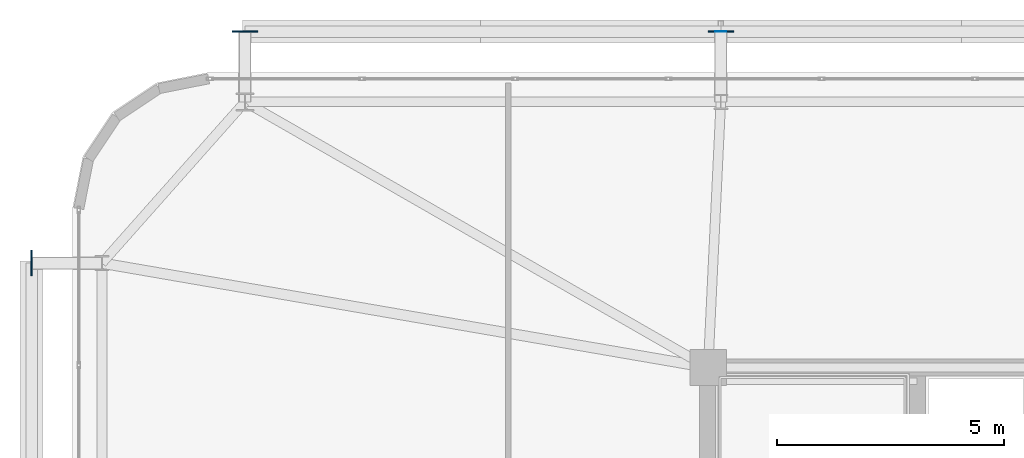
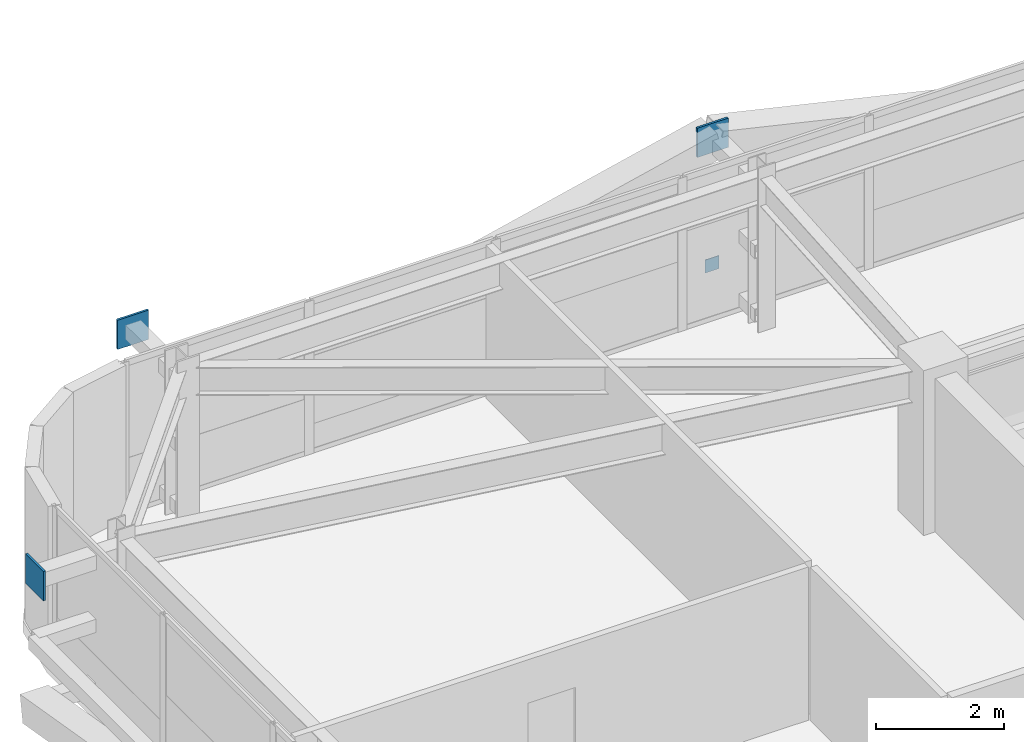
# One storey, part 49 of 58: 4 plates.
"""IFC4 building model written with IfcOpenShell, lengths in metres."""

from ifc_helpers import new_model, si_unit, direction, frame, origin, origin_2d, place, context, subcontext, project, spatial, rectangle, extrude, source, transform, mapped, material, layer, layer_set, type_object, element, save


model = new_model("IFC4")

# Units and contexts
model_context = context("Model", 3, precision=1e-05, world=origin(), true_north=direction((0.0, 1.0)))
body_context = subcontext(model_context, "Body", "Model", "MODEL_VIEW")
ifc_project = project(units=[si_unit("LENGTHUNIT", "METRE"), si_unit("AREAUNIT", "SQUARE_METRE"), si_unit("VOLUMEUNIT", "CUBIC_METRE"), si_unit("PLANEANGLEUNIT", "RADIAN"), si_unit("MASSUNIT", "GRAM", prefix="KILO")], contexts=[model_context])

# Site, building, storey
site_placement = place(None, origin())
site = spatial("IfcSite", under=ifc_project, at=site_placement, CompositionType="ELEMENT")
building_placement = place(site_placement, origin())
building = spatial("IfcBuilding", under=site, at=building_placement, Name="Taldren Reach Tower", CompositionType="ELEMENT")
storey_placement = place(building_placement, frame((0.0, 0.0, 54.60009765625)))
storey = spatial("IfcBuildingStorey", under=building, at=storey_placement, Name="L16", CompositionType="ELEMENT", Elevation=54.60009765625)

# Plates
ifc_material_1 = material(Name="Steel Gr 450 (C450L0)", Category="steel")
ifc_layer_1 = layer(ifc_material_1, 0.0400390625)
ifc_layer_set_1 = layer_set([ifc_layer_1], Name="Steel Gr 450 (C450L0)")
plate_type_1 = type_object("IfcPlateType", Name="PL-GUSSET-40", PredefinedType="SHEET", material=ifc_layer_set_1)
shared_shape_1 = source(origin(), body_context, "Body", "SweptSolid", [
    extrude(rectangle(XDim=0.56005859375, YDim=0.0400390625, at=origin_2d()), origin(), (0.0, 0.0, 1.0), 0.56005859375),
])
for number, where, z_axis, x_axis, name in (
    (1, (8.800048828125, 39.39990234375, 2.369873046875), (0.0, 0.0, 1.0), (1.0, 0.0, 0.0), "Exoskeleton star-node gusset plate B1-N1 L16"),
    (2, (19.280029296875, 39.39990234375, 2.369873046875), (0.0, 0.0, 1.0), (1.0, 0.0, 0.0), "Exoskeleton star-node gusset plate B1-N2 L16"),
    (3, (4.10009765625, 34.300048828125, 2.369873046875), (0.0, 0.0, 1.0), (0.0, 1.0, 0.0), "Exoskeleton star-node gusset plate B1-W3 L16"),
):
    element("IfcPlate", number, at=place(storey_placement, frame(where, z_axis=z_axis, x_axis=x_axis)), inside=storey, type_object=plate_type_1, Name=name, PredefinedType="SHEET", context=body_context, shape_type="MappedRepresentation", body=[
        mapped(shared_shape_1, transform((0.0, 0.0, 0.0), scale=1.0)),
    ])
ifc_material_2 = material(Name="Steel Gr 350 (C350L0)", Category="steel")
ifc_layer_2 = layer(ifc_material_2, 0.011962890625)
ifc_layer_set_2 = layer_set([ifc_layer_2], Name="Steel Gr 350 (C350L0)")
plate_type_2 = type_object("IfcPlateType", Name="PL-CAP-250", PredefinedType="SHEET", material=ifc_layer_set_2)
shared_shape_2 = source(origin(), body_context, "Body", "SweptSolid", [
    extrude(rectangle(XDim=0.25, YDim=0.011962890625, at=origin_2d()), origin(), (0.0, 0.0, 1.0), 0.25),
])
plate_placement = place(storey_placement, frame((19.280029296875, 39.406005859375, 0.094970703125), z_axis=(0.0, 0.0, 1.0), x_axis=(1.0, 0.0, 0.0)))
element("IfcPlate", 4, at=plate_placement, inside=storey, type_object=plate_type_2, Name="Tie strut end cap plate B1-N2 L16", PredefinedType="SHEET", context=body_context, shape_type="MappedRepresentation", body=[
    mapped(shared_shape_2, transform((0.0, 0.0, 0.0), scale=1.0)),
])

save(model, "model.ifc")
